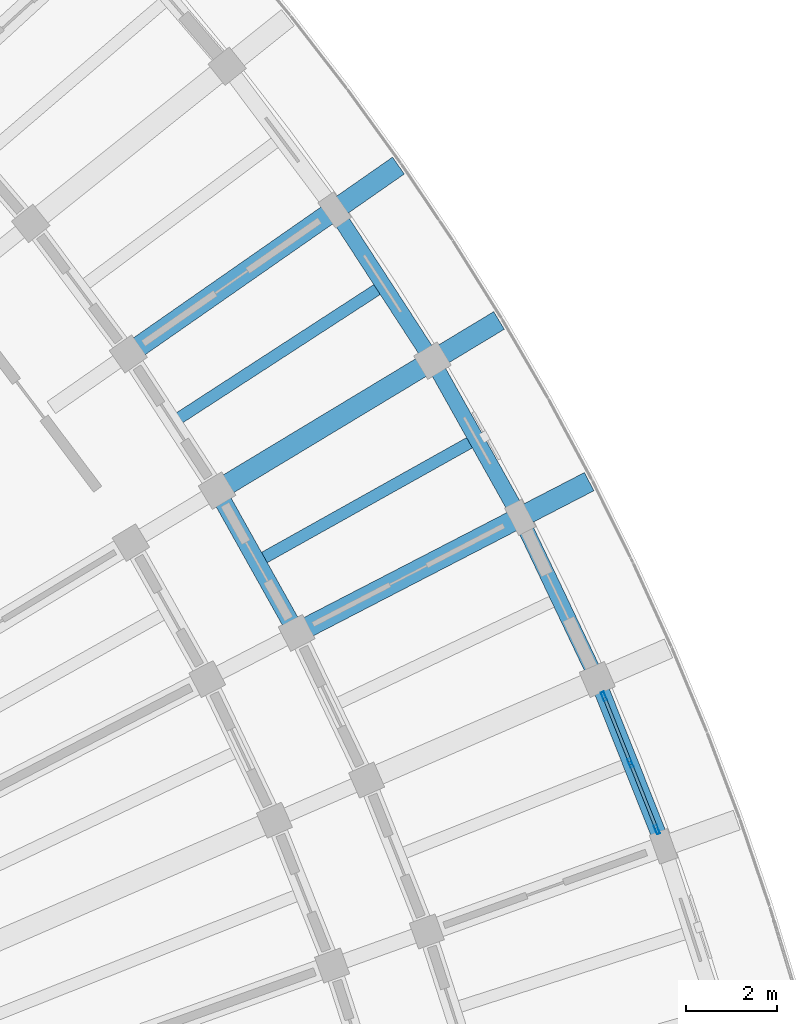
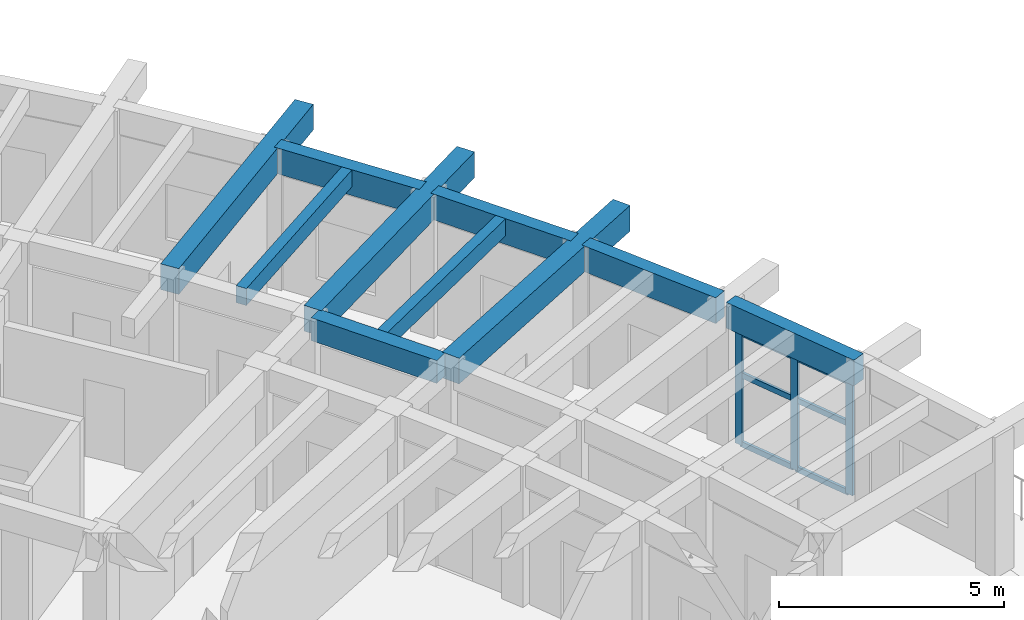
# One storey, part 63 of 128: 10 beams, 9 members, 1 element without a shape of its own.
"""IFC4 building model written with IfcOpenShell, lengths in metres."""

from ifc_helpers import new_model, si_unit, direction, frame, origin, origin_2d, place, context, subcontext, project, spatial, rectangle, hollow_rectangle, extrude, material, material_profile, profile_set, type_object, element, aggregate, save


model = new_model("IFC4")

# Units and contexts
model_context = context("Model", 3, precision=1e-05, world=origin(), true_north=direction((0.0, 1.0)))
body_context = subcontext(model_context, "Body", "Model", "MODEL_VIEW")
ifc_project = project(units=[si_unit("LENGTHUNIT", "METRE"), si_unit("AREAUNIT", "SQUARE_METRE"), si_unit("VOLUMEUNIT", "CUBIC_METRE"), si_unit("PLANEANGLEUNIT", "RADIAN"), si_unit("MASSUNIT", "GRAM", prefix="KILO")], contexts=[model_context])

# Site, building, storey
site_placement = place(None, origin())
site = spatial("IfcSite", under=ifc_project, at=site_placement, CompositionType="ELEMENT")
building_placement = place(site_placement, origin())
building = spatial("IfcBuilding", under=site, at=building_placement, Name="Tanwirah Colonnade Gardens", CompositionType="ELEMENT")
storey_placement = place(building_placement, frame((0.0, 0.0, 4.760009765625)))
storey = spatial("IfcBuildingStorey", under=building, at=storey_placement, Name="L01", CompositionType="ELEMENT", Elevation=4.760009765625)

# Beams
ifc_material_1 = material(Name="Precast concrete C40/50", Category="concrete")
ifc_material_profile_1 = material_profile(ifc_material_1, rectangle(XDim=0.3798828125, YDim=0.6201171875, at=origin_2d()), Name="PC-BM 380x620")
ifc_profile_set_1 = profile_set([ifc_material_profile_1], Name="Precast concrete C40/50")
beam_type_1 = type_object("IfcBeamType", Name="BM-PC380", PredefinedType="BEAM", material=ifc_profile_set_1)
beam_1_placement = place(storey_placement, frame((168.942138671875, 85.14892578125, 3.514892578125), z_axis=(-0.488213717102, 0.87272410671, 0.0), x_axis=(-0.87272410671, -0.488213717102, 0.0)))
element("IfcBeam", 1, at=beam_1_placement, inside=storey, type_object=beam_type_1, Name="Block B L01 Circumferential Beam 3-R2", PredefinedType="BEAM", context=body_context, shape_type="SweptSolid", body=[
    extrude(rectangle(XDim=0.3798828125, YDim=0.6201171875, at=origin_2d()), origin(), (0.0, 0.0, 1.0), 3.262939453125),
])
ifc_material_2 = material(Name="Precast concrete C45/55", Category="concrete")
ifc_material_profile_2 = material_profile(ifc_material_2, rectangle(XDim=0.449951171875, YDim=0.699951171875, at=origin_2d()), Name="PC-BM 450x700")
ifc_profile_set_2 = profile_set([ifc_material_profile_2], Name="Precast concrete C45/55")
beam_type_2 = type_object("IfcBeamType", Name="BM-PC450", PredefinedType="BEAM", material=ifc_profile_set_2)
beam_2_placement = place(storey_placement, frame((169.148681640625, 85.0869140625, 3.47509765625), z_axis=(0.888348690665, 0.459169471758, 0.0), x_axis=(-0.459169471758, 0.888348690665, 0.0)))
element("IfcBeam", 2, at=beam_2_placement, inside=storey, type_object=beam_type_2, Name="Block B L01 Outer Radial Precast Girder 3", PredefinedType="BEAM", context=body_context, shape_type="SweptSolid", body=[
    extrude(rectangle(XDim=0.449951171875, YDim=0.699951171875, at=origin_2d()), origin(), (0.0, 0.0, 1.0), 7.0498046875),
])
for number, where, z_axis, x_axis, name in (
    (3, (167.404296875, 88.205078125, 3.47509765625), (0.856157813984, 0.516714425533, 0.0), (-0.516714425533, 0.856157813984, 0.0), "Block B L01 Outer Radial Precast Girder 4"),
    (4, (165.458251953125, 91.20166015625, 3.47509765625), (0.820270158139, 0.571976282433, 0.0), (-0.571976282433, 0.820270158139, 0.0), "Block B L01 Outer Radial Precast Girder 5"),
):
    element("IfcBeam", number, at=place(storey_placement, frame(where, z_axis=z_axis, x_axis=x_axis)), inside=storey, type_object=beam_type_2, Name=name, PredefinedType="BEAM", context=body_context, shape_type="SweptSolid", body=[
        extrude(rectangle(XDim=0.449951171875, YDim=0.699951171875, at=origin_2d()), origin(), (0.0, 0.0, 1.0), 7.050048828125),
    ])

# Curtain wall, members
ifc_material_3 = material(Name="Bronze-anodised aluminium and solar-control low-E glass", Category="aluminium")
curtain_wall_type = type_object("IfcCurtainWallType", Name="CW-LOB", PredefinedType="NOTDEFINED", material=ifc_material_3)
curtain_wall_placement = place(storey_placement, origin())
curtain_wall = element("IfcCurtainWall", 5, at=curtain_wall_placement, inside=storey, type_object=curtain_wall_type, Name="Curtain Wall CW-B-L01-OUT-01", PredefinedType="NOTDEFINED")
ifc_material_4 = material(Name="Bronze-anodised aluminium", Category="aluminium")
ifc_material_profile_3 = material_profile(ifc_material_4, hollow_rectangle(XDim=0.070068359375, YDim=0.199951171875, WallThickness=0.00390625, at=origin_2d()), Name="CW-MUL 70x200x4")
ifc_profile_set_3 = profile_set([ifc_material_profile_3], Name="Bronze-anodised aluminium")
member_type_1 = type_object("IfcMemberType", Name="CWM-70x200", PredefinedType="MULLION", material=ifc_profile_set_3)
member_1_placement = place(storey_placement, frame((176.891357421875, 80.71728515625, 0.0), z_axis=(0.0, 0.0, 1.0), x_axis=(-0.929347570099, -0.369206031847, 0.0)))
member_1 = element("IfcMember", 6, at=member_1_placement, type_object=member_type_1, Name="CW-LOB mullion 1", PredefinedType="MULLION", context=body_context, shape_type="SweptSolid", body=[
    extrude(hollow_rectangle(XDim=0.070068359375, YDim=0.199951171875, WallThickness=0.00390625, at=origin_2d()), origin(), (0.0, 0.0, 1.0), 3.074951171875),
])
member_2_placement = place(storey_placement, frame((176.3125, 82.17431640625, 0.0), z_axis=(0.0, 0.0, 1.0), x_axis=(-0.929347570099, -0.369206031847, 0.0)))
member_2 = element("IfcMember", 7, at=member_2_placement, type_object=member_type_1, Name="CW-LOB mullion 2", PredefinedType="MULLION", context=body_context, shape_type="SweptSolid", body=[
    extrude(hollow_rectangle(XDim=0.070068359375, YDim=0.199951171875, WallThickness=0.00390625, at=origin_2d()), origin(), (0.0, 0.0, 1.0), 3.074951171875),
])
member_3_placement = place(storey_placement, frame((175.733642578125, 83.63134765625, 0.0), z_axis=(0.0, 0.0, 1.0), x_axis=(-0.929347570099, -0.369206031847, 0.0)))
member_3 = element("IfcMember", 8, at=member_3_placement, type_object=member_type_1, Name="CW-LOB mullion 3", PredefinedType="MULLION", context=body_context, shape_type="SweptSolid", body=[
    extrude(hollow_rectangle(XDim=0.070068359375, YDim=0.199951171875, WallThickness=0.00390625, at=origin_2d()), origin(), (0.0, 0.0, 1.0), 3.074951171875),
])
ifc_material_profile_4 = material_profile(ifc_material_4, hollow_rectangle(XDim=0.070068359375, YDim=0.14990234375, WallThickness=0.00390625, at=origin_2d()), Name="CW-TRN 70x150x4")
ifc_profile_set_4 = profile_set([ifc_material_profile_4], Name="Bronze-anodised aluminium")
member_type_2 = type_object("IfcMemberType", Name="CWT-70x150", PredefinedType="USERDEFINED", material=ifc_profile_set_4)
member_4_placement = place(storey_placement, frame((176.87841796875, 80.749755859375, 0.034912109375), z_axis=(-0.369169595084, 0.929362044666, 0.0), x_axis=(-0.929362044666, -0.369169595084, 0.0)))
member_4 = element("IfcMember", 9, at=member_4_placement, type_object=member_type_2, Name="CW-LOB transom 1.1", ObjectType="TRANSOM", PredefinedType="USERDEFINED", context=body_context, shape_type="SweptSolid", body=[
    extrude(hollow_rectangle(XDim=0.070068359375, YDim=0.14990234375, WallThickness=0.00390625, at=origin_2d()), origin(), (0.0, 0.0, 1.0), 1.497802734375),
])
member_5_placement = place(storey_placement, frame((176.87841796875, 80.749755859375, 1.906494140625), z_axis=(-0.369169595084, 0.929362044666, 0.0), x_axis=(-0.929362044666, -0.369169595084, 0.0)))
member_5 = element("IfcMember", 10, at=member_5_placement, type_object=member_type_2, Name="CW-LOB transom 1.2", ObjectType="TRANSOM", PredefinedType="USERDEFINED", context=body_context, shape_type="SweptSolid", body=[
    extrude(hollow_rectangle(XDim=0.070068359375, YDim=0.14990234375, WallThickness=0.00390625, at=origin_2d()), origin(), (0.0, 0.0, 1.0), 1.497802734375),
])
member_6_placement = place(storey_placement, frame((176.87841796875, 80.749755859375, 3.0400390625), z_axis=(-0.369169595084, 0.929362044666, 0.0), x_axis=(-0.929362044666, -0.369169595084, 0.0)))
member_6 = element("IfcMember", 11, at=member_6_placement, type_object=member_type_2, Name="CW-LOB transom 1.3", ObjectType="TRANSOM", PredefinedType="USERDEFINED", context=body_context, shape_type="SweptSolid", body=[
    extrude(hollow_rectangle(XDim=0.070068359375, YDim=0.14990234375, WallThickness=0.00390625, at=origin_2d()), origin(), (0.0, 0.0, 1.0), 1.497802734375),
])
member_7_placement = place(storey_placement, frame((176.299560546875, 82.206787109375, 0.034912109375), z_axis=(-0.369169595084, 0.929362044666, 0.0), x_axis=(-0.929362044666, -0.369169595084, 0.0)))
member_7 = element("IfcMember", 12, at=member_7_placement, type_object=member_type_2, Name="CW-LOB transom 2.1", ObjectType="TRANSOM", PredefinedType="USERDEFINED", context=body_context, shape_type="SweptSolid", body=[
    extrude(hollow_rectangle(XDim=0.070068359375, YDim=0.14990234375, WallThickness=0.00390625, at=origin_2d()), origin(), (0.0, 0.0, 1.0), 1.497802734375),
])
member_8_placement = place(storey_placement, frame((176.299560546875, 82.206787109375, 1.906494140625), z_axis=(-0.369169595084, 0.929362044666, 0.0), x_axis=(-0.929362044666, -0.369169595084, 0.0)))
member_8 = element("IfcMember", 13, at=member_8_placement, type_object=member_type_2, Name="CW-LOB transom 2.2", ObjectType="TRANSOM", PredefinedType="USERDEFINED", context=body_context, shape_type="SweptSolid", body=[
    extrude(hollow_rectangle(XDim=0.070068359375, YDim=0.14990234375, WallThickness=0.00390625, at=origin_2d()), origin(), (0.0, 0.0, 1.0), 1.497802734375),
])
member_9_placement = place(storey_placement, frame((176.299560546875, 82.206787109375, 3.0400390625), z_axis=(-0.369169595084, 0.929362044666, 0.0), x_axis=(-0.929362044666, -0.369169595084, 0.0)))
member_9 = element("IfcMember", 14, at=member_9_placement, type_object=member_type_2, Name="CW-LOB transom 2.3", ObjectType="TRANSOM", PredefinedType="USERDEFINED", context=body_context, shape_type="SweptSolid", body=[
    extrude(hollow_rectangle(XDim=0.070068359375, YDim=0.14990234375, WallThickness=0.00390625, at=origin_2d()), origin(), (0.0, 0.0, 1.0), 1.497802734375),
])
aggregate(curtain_wall, [member_1, member_2, member_3, member_4, member_5, member_6, member_7, member_8, member_9])

# Beams
ifc_material_profile_5 = material_profile(ifc_material_1, rectangle(XDim=0.260009765625, YDim=0.4599609375, at=origin_2d()), Name="PC-JST 260x460")
ifc_profile_set_5 = profile_set([ifc_material_profile_5], Name="Precast concrete C40/50")
beam_type_3 = type_object("IfcBeamType", Name="JST-PC260", PredefinedType="JOIST", material=ifc_profile_set_5)
beam_3_placement = place(storey_placement, frame((168.27587890625, 86.645751953125, 3.594970703125), z_axis=(0.872737031138, 0.488190612855, 0.0), x_axis=(-0.488190612855, 0.872737031138, 0.0)))
element("IfcBeam", 15, at=beam_3_placement, inside=storey, type_object=beam_type_3, Name="Block B L01 Precast Floor Joist 3", PredefinedType="JOIST", context=body_context, shape_type="SweptSolid", body=[
    extrude(rectangle(XDim=0.260009765625, YDim=0.4599609375, at=origin_2d()), origin(), (0.0, 0.0, 1.0), 5.260009765625),
])
beam_4_placement = place(storey_placement, frame((166.4306640625, 89.703125, 3.594970703125), z_axis=(0.83868742622, 0.544613074669, 0.0), x_axis=(-0.544613074669, 0.83868742622, 0.0)))
element("IfcBeam", 16, at=beam_4_placement, inside=storey, type_object=beam_type_3, Name="Block B L01 Precast Floor Joist 4", PredefinedType="JOIST", context=body_context, shape_type="SweptSolid", body=[
    extrude(rectangle(XDim=0.260009765625, YDim=0.4599609375, at=origin_2d()), origin(), (0.0, 0.0, 1.0), 5.26025390625),
])
ifc_material_profile_6 = material_profile(ifc_material_2, rectangle(XDim=0.340087890625, YDim=0.699951171875, at=origin_2d()), Name="PC-SP 340x700")
ifc_profile_set_6 = profile_set([ifc_material_profile_6], Name="Precast concrete C45/55")
beam_type_4 = type_object("IfcBeamType", Name="SP-PC340", PredefinedType="SPANDREL", material=ifc_profile_set_6)
for number, where, z_axis, x_axis, name in (
    (17, (176.98193359375, 80.489501953125, 3.47509765625), (-0.369195460985, 0.929351769562, 0.0), (-0.929351769562, -0.369195460985, 0.0), "Block B L01 Circumferential Beam 1-R3"),
    (18, (175.5234375, 84.1337890625, 3.47509765625), (-0.429593766142, 0.903022256698, 0.0), (-0.903022256698, -0.429593766142, 0.0), "Block B L01 Circumferential Beam 2-R3"),
    (19, (173.828125, 87.67431640625, 3.47509765625), (-0.488236312193, 0.872711466326, 0.0), (-0.872711466326, -0.488236312193, 0.0), "Block B L01 Circumferential Beam 3-R3"),
    (20, (171.903076171875, 91.09521484375, 3.47509765625), (-0.544621436184, 0.838681996497, 0.0), (-0.838681996497, -0.544621436184, 0.0), "Block B L01 Circumferential Beam 4-R3"),
):
    element("IfcBeam", number, at=place(storey_placement, frame(where, z_axis=z_axis, x_axis=x_axis)), inside=storey, type_object=beam_type_4, Name=name, PredefinedType="SPANDREL", context=body_context, shape_type="SweptSolid", body=[
        extrude(rectangle(XDim=0.340087890625, YDim=0.699951171875, at=origin_2d()), origin(), (0.0, 0.0, 1.0), 3.625732421875),
    ])

save(model, "model.ifc")
